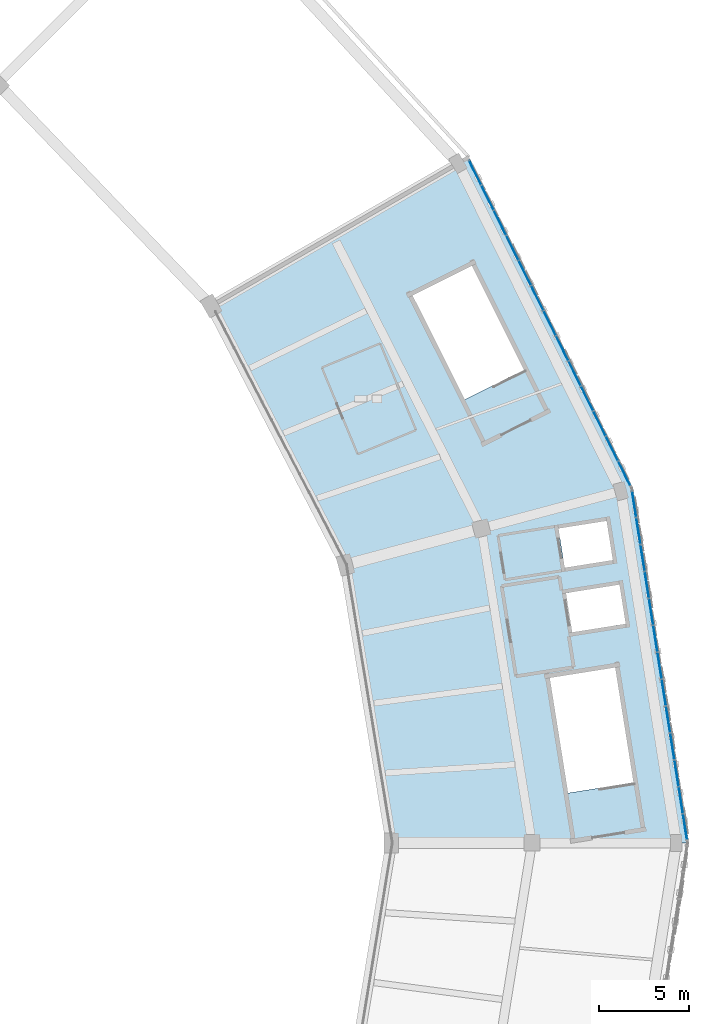
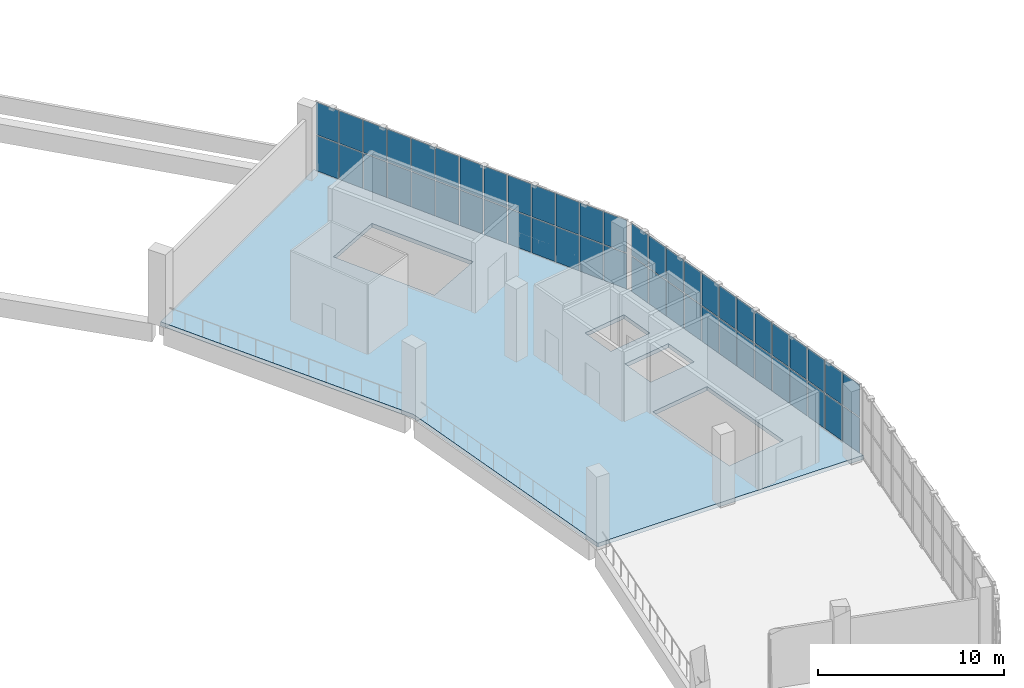
# One storey, part 39 of 64: 52 plates, 1 slab, 2 elements without a shape of their own.
"""IFC4 building model written with IfcOpenShell, lengths in metres."""

import ifcopenshell
import ifcopenshell.guid

model = None  # the IFC model being written
_history = None  # IfcOwnerHistory: only IFC2X3 demands one
_inside = {}  # id of a spatial element -> (the spatial element, [elements in it])
_under = {}  # id of a project, library or spatial element -> (it, [spatial elements below it])
_declared = {}  # id of a project -> (the project, [libraries it declares])
_typed = {}  # id of a type object -> (the type object, [elements of that type])
_made_of = {}  # id of a material, layer set ... -> (it, [elements and type objects made of it])


def new_model(schema):
    """Start an empty IFC model of exactly this schema.

    Asked for "IFC4X3", IfcOpenShell would pick the latest addendum, in which some entities
    have other attributes; the version numbers below select the first issue.
    IFC2X3 requires an IfcOwnerHistory on every rooted entity: one is made here for all.
    """
    global model, _history
    if schema == "IFC4X3":
        model = ifcopenshell.file(schema_version=(4, 3, 0, 0))
    else:
        model = ifcopenshell.file(schema=schema)
    _inside.clear()
    _under.clear()
    _declared.clear()
    _typed.clear()
    _made_of.clear()
    _history = None
    if model.schema == "IFC2X3":
        org = make("IfcOrganization", Name="unknown")
        user = make(
            "IfcPersonAndOrganization",
            ThePerson=make("IfcPerson", FamilyName="unknown"),
            TheOrganization=org,
        )
        app = make(
            "IfcApplication",
            ApplicationDeveloper=org,
            Version="unknown",
            ApplicationFullName="unknown",
            ApplicationIdentifier="unknown",
        )
        _history = make(
            "IfcOwnerHistory",
            OwningUser=user,
            OwningApplication=app,
            ChangeAction="ADDED",
            CreationDate=0,
        )
    return model


def make(cls, **values):
    """One entity of the class cls with the attributes given. An attribute that is None is left unset."""
    return model.create_entity(
        cls, **{name: value for name, value in values.items() if value is not None}
    )


def rooted(cls, **values):
    """An entity with a GlobalId (a new one), such as an element, a storey or a relation."""
    return make(cls, GlobalId=ifcopenshell.guid.new(), OwnerHistory=_history, **values)


def si_unit(unit_type, name, prefix=None):
    """IfcSIUnit, for example si_unit("LENGTHUNIT", "METRE", prefix="MILLI")."""
    return make("IfcSIUnit", UnitType=unit_type, Prefix=prefix, Name=name)


def assignment(units):
    """IfcUnitAssignment: the units of a project."""
    return None if units is None else make("IfcUnitAssignment", Units=units)


def point(xyz):
    """IfcCartesianPoint."""
    return None if xyz is None else make("IfcCartesianPoint", Coordinates=xyz)


def direction(xyz):
    """IfcDirection."""
    return None if xyz is None else make("IfcDirection", DirectionRatios=xyz)


def frame(location, z_axis=None, x_axis=None):
    """IfcAxis2Placement3D, a coordinate frame: its origin and axes. An axis left out is left unset."""
    return make(
        "IfcAxis2Placement3D",
        Location=point(location),
        Axis=direction(z_axis),
        RefDirection=direction(x_axis),
    )


def frame_2d(location, x_axis=None):
    """IfcAxis2Placement2D, a coordinate frame in the plane: its origin and x axis."""
    return make(
        "IfcAxis2Placement2D", Location=point(location), RefDirection=direction(x_axis)
    )


def origin():
    """The frame at (0, 0, 0) with its axes left unset."""
    return frame((0.0, 0.0, 0.0))


def origin_2d():
    """The frame at (0, 0) in the plane with its x axis left unset."""
    return frame_2d((0.0, 0.0))


def place(relative_to, where):
    """IfcLocalPlacement: puts the frame where relative to a parent placement (None: the world)."""
    return make(
        "IfcLocalPlacement", PlacementRelTo=relative_to, RelativePlacement=where
    )


def context(
    kind, dimensions, precision=None, world=None, true_north=None, identifier=None
):
    """IfcGeometricRepresentationContext, for example the 3D "Model" context."""
    return make(
        "IfcGeometricRepresentationContext",
        ContextIdentifier=identifier,
        ContextType=kind,
        CoordinateSpaceDimension=dimensions,
        Precision=precision,
        WorldCoordinateSystem=world,
        TrueNorth=true_north,
    )


def subcontext(parent, identifier, kind, view, scale=None):
    """IfcGeometricRepresentationSubContext, for example "Body" below "Model"."""
    return make(
        "IfcGeometricRepresentationSubContext",
        ContextIdentifier=identifier,
        ContextType=kind,
        ParentContext=parent,
        TargetScale=scale,
        TargetView=view,
    )


def project(units=None, contexts=None):
    """IfcProject with its units and contexts."""
    return rooted(
        "IfcProject",
        Name="project",
        RepresentationContexts=contexts,
        UnitsInContext=assignment(units),
    )


def spatial(cls, under=None, at=None, **own):
    """A site, building, storey or space (cls), placed at a placement, below another one or the project."""
    s = rooted(cls, ObjectPlacement=at, **own)
    if under is not None:
        _under.setdefault(under.id(), (under, []))[1].append(s)
    return s


def polyline(points):
    """IfcPolyline through the points."""
    return make("IfcPolyline", Points=[point(p) for p in points])


def profile(cls, at=None, kind="AREA", **sizes):
    """A parametric profile (cls). Its sizes go by their IFC names, for example OverallWidth=200.0."""
    return make(cls, ProfileType=kind, Position=at, **sizes)


def rectangle(**sizes):
    """IfcRectangleProfileDef."""
    return profile("IfcRectangleProfileDef", **sizes)


def outline(outer, holes=None, kind="AREA"):
    """IfcArbitraryClosedProfileDef: a profile drawn as a closed curve; with holes, ...WithVoids."""
    if holes is None:
        return make("IfcArbitraryClosedProfileDef", ProfileType=kind, OuterCurve=outer)
    return make(
        "IfcArbitraryProfileDefWithVoids",
        ProfileType=kind,
        OuterCurve=outer,
        InnerCurves=holes,
    )


def extrude(swept, where, along, depth):
    """IfcExtrudedAreaSolid: the profile swept, set in the frame where, extruded along a direction by depth."""
    return make(
        "IfcExtrudedAreaSolid",
        SweptArea=swept,
        Position=where,
        ExtrudedDirection=direction(along),
        Depth=depth,
    )


def shape(context_of_items, identifier, shape_type, items):
    """IfcShapeRepresentation: the items that make up one representation, for example the "Body"."""
    return make(
        "IfcShapeRepresentation",
        ContextOfItems=context_of_items,
        RepresentationIdentifier=identifier,
        RepresentationType=shape_type,
        Items=items,
    )


def material(Name=None, Category=None):
    """IfcMaterial."""
    return make("IfcMaterial", Name=Name, Category=Category)


def layer(
    of_material, thickness, ventilated=None, Name=None, Category=None, Priority=None
):
    """IfcMaterialLayer: one layer of a wall or slab, of a material (None: an air gap)."""
    return make(
        "IfcMaterialLayer",
        Material=of_material,
        LayerThickness=thickness,
        IsVentilated=ventilated,
        Name=Name,
        Category=Category,
        Priority=Priority,
    )


def layer_set(layers, Name=None):
    """IfcMaterialLayerSet."""
    return make("IfcMaterialLayerSet", MaterialLayers=layers, LayerSetName=Name)


def made_of(thing, what):
    """Note that an element or type object is made of a material, layer set ...; save() writes the relation."""
    if what is not None:
        _made_of.setdefault(what.id(), (what, []))[1].append(thing)
    return thing


def type_object(cls, material=None, **own):
    """A type object (cls), such as IfcWallType, which elements share."""
    return made_of(rooted(cls, **own), material)


def element(
    cls,
    number,
    at=None,
    inside=None,
    cuts=None,
    type_object=None,
    material=None,
    context=None,
    identifier="Body",
    shape_type=None,
    held_by="IfcProductDefinitionShape",
    body=None,
    shapes=None,
    **own,
):
    """One element of the class cls, such as IfcWall. Its Tag is "e" and its number.

    at: its placement. inside: the storey or other place that contains it. cuts: it is an
    opening in that element (IfcRelVoidsElement). A single representation is given by context,
    identifier, shape_type and body (its items); several are given by shapes. held_by: the class
    of the entity that holds the representations. save() writes the other relations.
    """
    e = rooted(cls, Tag="e%d" % number, ObjectPlacement=at, **own)
    if body is not None:
        shapes = [shape(context, identifier, shape_type, body)]
    if shapes is not None:
        e.Representation = make(held_by, Representations=shapes)
    if inside is not None:
        _inside.setdefault(inside.id(), (inside, []))[1].append(e)
    if cuts is not None:
        rooted(
            "IfcRelVoidsElement", RelatingBuildingElement=cuts, RelatedOpeningElement=e
        )
    if type_object is not None:
        _typed.setdefault(type_object.id(), (type_object, []))[1].append(e)
    return made_of(e, material)


def aggregate(whole, parts):
    """IfcRelAggregates: a whole, such as a stair, and the parts it consists of."""
    return rooted("IfcRelAggregates", RelatingObject=whole, RelatedObjects=parts)


def save(model, path):
    """Write the relations noted so far, then the file.

    IfcRelAggregates (storeys below a building ...), IfcRelContainedInSpatialStructure (elements
    in a storey), IfcRelDefinesByType, IfcRelAssociatesMaterial and IfcRelDeclares: one each for
    every whole, place, type object, material and project.
    """
    for whole, parts in _under.values():
        aggregate(whole, parts)
    for where, things in _inside.values():
        rooted(
            "IfcRelContainedInSpatialStructure",
            RelatedElements=things,
            RelatingStructure=where,
        )
    for kind, things in _typed.values():
        rooted("IfcRelDefinesByType", RelatedObjects=things, RelatingType=kind)
    for what, things in _made_of.values():
        rooted("IfcRelAssociatesMaterial", RelatedObjects=things, RelatingMaterial=what)
    for by, libraries in _declared.values():
        rooted("IfcRelDeclares", RelatingContext=by, RelatedDefinitions=libraries)
    model.write(path)


model = new_model("IFC4")

# Units and contexts
model_context = context("Model", 3, precision=1e-05, world=origin(), true_north=direction((0.0, 1.0)))
body_context = subcontext(model_context, "Body", "Model", "MODEL_VIEW")
ifc_project = project(units=[si_unit("LENGTHUNIT", "METRE"), si_unit("AREAUNIT", "SQUARE_METRE"), si_unit("VOLUMEUNIT", "CUBIC_METRE"), si_unit("PLANEANGLEUNIT", "RADIAN"), si_unit("MASSUNIT", "GRAM", prefix="KILO")], contexts=[model_context])

# Site, building, storey
site_placement = place(None, origin())
site = spatial("IfcSite", under=ifc_project, at=site_placement, CompositionType="ELEMENT")
building_placement = place(site_placement, origin())
building = spatial("IfcBuilding", under=site, at=building_placement, Name="Zevraka Park Crest Stadium", CompositionType="ELEMENT")
storey_placement = place(building_placement, frame((0.0, 0.0, 24.60009765625)))
storey = spatial("IfcBuildingStorey", under=building, at=storey_placement, Name="L05", CompositionType="ELEMENT", Elevation=24.60009765625)

# Curtain wall, plates
ifc_material_1 = material(Name="Anodised architectural aluminium and laminated safety glass", Category="aluminium")
curtain_wall_type_1 = type_object("IfcCurtainWallType", Name="CW21", PredefinedType="NOTDEFINED", material=ifc_material_1)
curtain_wall_1_placement = place(storey_placement, origin())
curtain_wall_1 = element("IfcCurtainWall", 1, at=curtain_wall_1_placement, inside=storey, type_object=curtain_wall_type_1, Name="Unitised Ring Curtain Wall CW21 L05-00", PredefinedType="NOTDEFINED")
ifc_material_2 = material(Name="Solar-control laminated double glazing", Category="glass")
ifc_layer_1 = layer(ifc_material_2, 0.031982421875)
ifc_layer_set_1 = layer_set([ifc_layer_1], Name="Solar-control laminated double glazing")
plate_type_1 = type_object("IfcPlateType", Name="CP21", PredefinedType="CURTAIN_PANEL", material=ifc_layer_set_1)
plate_1_placement = place(storey_placement, frame((202.77880859375, 92.88916015625, 0.06982421875), z_axis=(0.0, 0.0, 1.0), x_axis=(-0.155711467527, 0.987802580924, 0.0)))
plate_1 = element("IfcPlate", 2, at=plate_1_placement, type_object=plate_type_1, Name="CW21 panel 1.1", PredefinedType="CURTAIN_PANEL", context=body_context, shape_type="SweptSolid", body=[
    extrude(rectangle(XDim=1.4052734375, YDim=0.031982421875, at=origin_2d()), origin(), (0.0, 0.0, 1.0), 2.294921875),
])
plate_2_placement = place(storey_placement, frame((202.77880859375, 92.88916015625, 2.43505859375), z_axis=(0.0, 0.0, 1.0), x_axis=(-0.155711467527, 0.987802580924, 0.0)))
plate_2 = element("IfcPlate", 3, at=plate_2_placement, type_object=plate_type_1, Name="CW21 panel 1.2", PredefinedType="CURTAIN_PANEL", context=body_context, shape_type="SweptSolid", body=[
    extrude(rectangle(XDim=1.4052734375, YDim=0.031982421875, at=origin_2d()), origin(), (0.0, 0.0, 1.0), 2.114990234375),
])
plate_3_placement = place(storey_placement, frame((202.54638671875, 94.36376953125, 0.06982421875), z_axis=(0.0, 0.0, 1.0), x_axis=(-0.155711467527, 0.987802580924, 0.0)))
plate_3 = element("IfcPlate", 4, at=plate_3_placement, type_object=plate_type_1, Name="CW21 panel 2.1", PredefinedType="CURTAIN_PANEL", context=body_context, shape_type="SweptSolid", body=[
    extrude(rectangle(XDim=1.440185546875, YDim=0.031982421875, at=origin_2d()), origin(), (0.0, 0.0, 1.0), 2.294921875),
])
plate_4_placement = place(storey_placement, frame((202.54638671875, 94.36376953125, 2.43505859375), z_axis=(0.0, 0.0, 1.0), x_axis=(-0.155711467527, 0.987802580924, 0.0)))
plate_4 = element("IfcPlate", 5, at=plate_4_placement, type_object=plate_type_1, Name="CW21 panel 2.2", PredefinedType="CURTAIN_PANEL", context=body_context, shape_type="SweptSolid", body=[
    extrude(rectangle(XDim=1.440185546875, YDim=0.031982421875, at=origin_2d()), origin(), (0.0, 0.0, 1.0), 2.114990234375),
])
plate_5_placement = place(storey_placement, frame((202.31103515625, 95.85546875, 0.06982421875), z_axis=(0.0, 0.0, 1.0), x_axis=(-0.155711467527, 0.987802580924, 0.0)))
plate_5 = element("IfcPlate", 6, at=plate_5_placement, type_object=plate_type_1, Name="CW21 panel 3.1", PredefinedType="CURTAIN_PANEL", context=body_context, shape_type="SweptSolid", body=[
    extrude(rectangle(XDim=1.440185546875, YDim=0.031982421875, at=origin_2d()), origin(), (0.0, 0.0, 1.0), 2.294921875),
])
plate_6_placement = place(storey_placement, frame((202.31103515625, 95.85546875, 2.43505859375), z_axis=(0.0, 0.0, 1.0), x_axis=(-0.155711467527, 0.987802580924, 0.0)))
plate_6 = element("IfcPlate", 7, at=plate_6_placement, type_object=plate_type_1, Name="CW21 panel 3.2", PredefinedType="CURTAIN_PANEL", context=body_context, shape_type="SweptSolid", body=[
    extrude(rectangle(XDim=1.440185546875, YDim=0.031982421875, at=origin_2d()), origin(), (0.0, 0.0, 1.0), 2.114990234375),
])
plate_7_placement = place(storey_placement, frame((202.075927734375, 97.34716796875, 0.06982421875), z_axis=(0.0, 0.0, 1.0), x_axis=(-0.155711467527, 0.987802580924, 0.0)))
plate_7 = element("IfcPlate", 8, at=plate_7_placement, type_object=plate_type_1, Name="CW21 panel 4.1", PredefinedType="CURTAIN_PANEL", context=body_context, shape_type="SweptSolid", body=[
    extrude(rectangle(XDim=1.440185546875, YDim=0.031982421875, at=origin_2d()), origin(), (0.0, 0.0, 1.0), 2.294921875),
])
plate_8_placement = place(storey_placement, frame((202.075927734375, 97.34716796875, 2.43505859375), z_axis=(0.0, 0.0, 1.0), x_axis=(-0.155711467527, 0.987802580924, 0.0)))
plate_8 = element("IfcPlate", 9, at=plate_8_placement, type_object=plate_type_1, Name="CW21 panel 4.2", PredefinedType="CURTAIN_PANEL", context=body_context, shape_type="SweptSolid", body=[
    extrude(rectangle(XDim=1.440185546875, YDim=0.031982421875, at=origin_2d()), origin(), (0.0, 0.0, 1.0), 2.114990234375),
])
plate_9_placement = place(storey_placement, frame((201.8408203125, 98.8388671875, 0.06982421875), z_axis=(0.0, 0.0, 1.0), x_axis=(-0.155711467527, 0.987802580924, 0.0)))
plate_9 = element("IfcPlate", 10, at=plate_9_placement, type_object=plate_type_1, Name="CW21 panel 5.1", PredefinedType="CURTAIN_PANEL", context=body_context, shape_type="SweptSolid", body=[
    extrude(rectangle(XDim=1.440185546875, YDim=0.031982421875, at=origin_2d()), origin(), (0.0, 0.0, 1.0), 2.294921875),
])
plate_10_placement = place(storey_placement, frame((201.8408203125, 98.8388671875, 2.43505859375), z_axis=(0.0, 0.0, 1.0), x_axis=(-0.155711467527, 0.987802580924, 0.0)))
plate_10 = element("IfcPlate", 11, at=plate_10_placement, type_object=plate_type_1, Name="CW21 panel 5.2", PredefinedType="CURTAIN_PANEL", context=body_context, shape_type="SweptSolid", body=[
    extrude(rectangle(XDim=1.440185546875, YDim=0.031982421875, at=origin_2d()), origin(), (0.0, 0.0, 1.0), 2.114990234375),
])
plate_11_placement = place(storey_placement, frame((201.605712890625, 100.330810546875, 0.06982421875), z_axis=(0.0, 0.0, 1.0), x_axis=(-0.155711467527, 0.987802580924, 0.0)))
plate_11 = element("IfcPlate", 12, at=plate_11_placement, type_object=plate_type_1, Name="CW21 panel 6.1", PredefinedType="CURTAIN_PANEL", context=body_context, shape_type="SweptSolid", body=[
    extrude(rectangle(XDim=1.440185546875, YDim=0.031982421875, at=origin_2d()), origin(), (0.0, 0.0, 1.0), 2.294921875),
])
plate_12_placement = place(storey_placement, frame((201.605712890625, 100.330810546875, 2.43505859375), z_axis=(0.0, 0.0, 1.0), x_axis=(-0.155711467527, 0.987802580924, 0.0)))
plate_12 = element("IfcPlate", 13, at=plate_12_placement, type_object=plate_type_1, Name="CW21 panel 6.2", PredefinedType="CURTAIN_PANEL", context=body_context, shape_type="SweptSolid", body=[
    extrude(rectangle(XDim=1.440185546875, YDim=0.031982421875, at=origin_2d()), origin(), (0.0, 0.0, 1.0), 2.114990234375),
])
plate_13_placement = place(storey_placement, frame((201.37060546875, 101.822509765625, 0.06982421875), z_axis=(0.0, 0.0, 1.0), x_axis=(-0.155711467527, 0.987802580924, 0.0)))
plate_13 = element("IfcPlate", 14, at=plate_13_placement, type_object=plate_type_1, Name="CW21 panel 7.1", PredefinedType="CURTAIN_PANEL", context=body_context, shape_type="SweptSolid", body=[
    extrude(rectangle(XDim=1.440185546875, YDim=0.031982421875, at=origin_2d()), origin(), (0.0, 0.0, 1.0), 2.294921875),
])
plate_14_placement = place(storey_placement, frame((201.37060546875, 101.822509765625, 2.43505859375), z_axis=(0.0, 0.0, 1.0), x_axis=(-0.155711467527, 0.987802580924, 0.0)))
plate_14 = element("IfcPlate", 15, at=plate_14_placement, type_object=plate_type_1, Name="CW21 panel 7.2", PredefinedType="CURTAIN_PANEL", context=body_context, shape_type="SweptSolid", body=[
    extrude(rectangle(XDim=1.440185546875, YDim=0.031982421875, at=origin_2d()), origin(), (0.0, 0.0, 1.0), 2.114990234375),
])
plate_15_placement = place(storey_placement, frame((201.13525390625, 103.314208984375, 0.06982421875), z_axis=(0.0, 0.0, 1.0), x_axis=(-0.155711467527, 0.987802580924, 0.0)))
plate_15 = element("IfcPlate", 16, at=plate_15_placement, type_object=plate_type_1, Name="CW21 panel 8.1", PredefinedType="CURTAIN_PANEL", context=body_context, shape_type="SweptSolid", body=[
    extrude(rectangle(XDim=1.440185546875, YDim=0.031982421875, at=origin_2d()), origin(), (0.0, 0.0, 1.0), 2.294921875),
])
plate_16_placement = place(storey_placement, frame((201.13525390625, 103.314208984375, 2.43505859375), z_axis=(0.0, 0.0, 1.0), x_axis=(-0.155711467527, 0.987802580924, 0.0)))
plate_16 = element("IfcPlate", 17, at=plate_16_placement, type_object=plate_type_1, Name="CW21 panel 8.2", PredefinedType="CURTAIN_PANEL", context=body_context, shape_type="SweptSolid", body=[
    extrude(rectangle(XDim=1.440185546875, YDim=0.031982421875, at=origin_2d()), origin(), (0.0, 0.0, 1.0), 2.114990234375),
])
plate_17_placement = place(storey_placement, frame((200.900146484375, 104.80615234375, 0.06982421875), z_axis=(0.0, 0.0, 1.0), x_axis=(-0.155711467527, 0.987802580924, 0.0)))
plate_17 = element("IfcPlate", 18, at=plate_17_placement, type_object=plate_type_1, Name="CW21 panel 9.1", PredefinedType="CURTAIN_PANEL", context=body_context, shape_type="SweptSolid", body=[
    extrude(rectangle(XDim=1.440185546875, YDim=0.031982421875, at=origin_2d()), origin(), (0.0, 0.0, 1.0), 2.294921875),
])
plate_18_placement = place(storey_placement, frame((200.900146484375, 104.80615234375, 2.43505859375), z_axis=(0.0, 0.0, 1.0), x_axis=(-0.155711467527, 0.987802580924, 0.0)))
plate_18 = element("IfcPlate", 19, at=plate_18_placement, type_object=plate_type_1, Name="CW21 panel 9.2", PredefinedType="CURTAIN_PANEL", context=body_context, shape_type="SweptSolid", body=[
    extrude(rectangle(XDim=1.440185546875, YDim=0.031982421875, at=origin_2d()), origin(), (0.0, 0.0, 1.0), 2.114990234375),
])
plate_19_placement = place(storey_placement, frame((200.6650390625, 106.2978515625, 0.06982421875), z_axis=(0.0, 0.0, 1.0), x_axis=(-0.155711467527, 0.987802580924, 0.0)))
plate_19 = element("IfcPlate", 20, at=plate_19_placement, type_object=plate_type_1, Name="CW21 panel 10.1", PredefinedType="CURTAIN_PANEL", context=body_context, shape_type="SweptSolid", body=[
    extrude(rectangle(XDim=1.440185546875, YDim=0.031982421875, at=origin_2d()), origin(), (0.0, 0.0, 1.0), 2.294921875),
])
plate_20_placement = place(storey_placement, frame((200.6650390625, 106.2978515625, 2.43505859375), z_axis=(0.0, 0.0, 1.0), x_axis=(-0.155711467527, 0.987802580924, 0.0)))
plate_20 = element("IfcPlate", 21, at=plate_20_placement, type_object=plate_type_1, Name="CW21 panel 10.2", PredefinedType="CURTAIN_PANEL", context=body_context, shape_type="SweptSolid", body=[
    extrude(rectangle(XDim=1.440185546875, YDim=0.031982421875, at=origin_2d()), origin(), (0.0, 0.0, 1.0), 2.114990234375),
])
plate_21_placement = place(storey_placement, frame((200.429931640625, 107.78955078125, 0.06982421875), z_axis=(0.0, 0.0, 1.0), x_axis=(-0.155711467527, 0.987802580924, 0.0)))
plate_21 = element("IfcPlate", 22, at=plate_21_placement, type_object=plate_type_1, Name="CW21 panel 11.1", PredefinedType="CURTAIN_PANEL", context=body_context, shape_type="SweptSolid", body=[
    extrude(rectangle(XDim=1.440185546875, YDim=0.031982421875, at=origin_2d()), origin(), (0.0, 0.0, 1.0), 2.294921875),
])
plate_22_placement = place(storey_placement, frame((200.429931640625, 107.78955078125, 2.43505859375), z_axis=(0.0, 0.0, 1.0), x_axis=(-0.155711467527, 0.987802580924, 0.0)))
plate_22 = element("IfcPlate", 23, at=plate_22_placement, type_object=plate_type_1, Name="CW21 panel 11.2", PredefinedType="CURTAIN_PANEL", context=body_context, shape_type="SweptSolid", body=[
    extrude(rectangle(XDim=1.440185546875, YDim=0.031982421875, at=origin_2d()), origin(), (0.0, 0.0, 1.0), 2.114990234375),
])
plate_23_placement = place(storey_placement, frame((200.19482421875, 109.28125, 0.06982421875), z_axis=(0.0, 0.0, 1.0), x_axis=(-0.155711467527, 0.987802580924, 0.0)))
plate_23 = element("IfcPlate", 24, at=plate_23_placement, type_object=plate_type_1, Name="CW21 panel 12.1", PredefinedType="CURTAIN_PANEL", context=body_context, shape_type="SweptSolid", body=[
    extrude(rectangle(XDim=1.440185546875, YDim=0.031982421875, at=origin_2d()), origin(), (0.0, 0.0, 1.0), 2.294921875),
])
plate_24_placement = place(storey_placement, frame((200.19482421875, 109.28125, 2.43505859375), z_axis=(0.0, 0.0, 1.0), x_axis=(-0.155711467527, 0.987802580924, 0.0)))
plate_24 = element("IfcPlate", 25, at=plate_24_placement, type_object=plate_type_1, Name="CW21 panel 12.2", PredefinedType="CURTAIN_PANEL", context=body_context, shape_type="SweptSolid", body=[
    extrude(rectangle(XDim=1.440185546875, YDim=0.031982421875, at=origin_2d()), origin(), (0.0, 0.0, 1.0), 2.114990234375),
])
plate_25_placement = place(storey_placement, frame((199.96240234375, 110.755859375, 0.06982421875), z_axis=(0.0, 0.0, 1.0), x_axis=(-0.155711467527, 0.987802580924, 0.0)))
plate_25 = element("IfcPlate", 26, at=plate_25_placement, type_object=plate_type_1, Name="CW21 panel 13.1", PredefinedType="CURTAIN_PANEL", context=body_context, shape_type="SweptSolid", body=[
    extrude(rectangle(XDim=1.4052734375, YDim=0.031982421875, at=origin_2d()), origin(), (0.0, 0.0, 1.0), 2.294921875),
])
plate_26_placement = place(storey_placement, frame((199.96240234375, 110.755859375, 2.43505859375), z_axis=(0.0, 0.0, 1.0), x_axis=(-0.155711467527, 0.987802580924, 0.0)))
plate_26 = element("IfcPlate", 27, at=plate_26_placement, type_object=plate_type_1, Name="CW21 panel 13.2", PredefinedType="CURTAIN_PANEL", context=body_context, shape_type="SweptSolid", body=[
    extrude(rectangle(XDim=1.4052734375, YDim=0.031982421875, at=origin_2d()), origin(), (0.0, 0.0, 1.0), 2.114990234375),
])
aggregate(curtain_wall_1, [plate_1, plate_2, plate_3, plate_4, plate_5, plate_6, plate_7, plate_8, plate_9, plate_10, plate_11, plate_12, plate_13, plate_14, plate_15, plate_16, plate_17, plate_18, plate_19, plate_20, plate_21, plate_22, plate_23, plate_24, plate_25, plate_26])

ifc_material_3 = material(Name="Anodised architectural aluminium and laminated safety glass", Category="aluminium")
curtain_wall_type_2 = type_object("IfcCurtainWallType", Name="CW22", PredefinedType="NOTDEFINED", material=ifc_material_3)
curtain_wall_2_placement = place(storey_placement, origin())
curtain_wall_2 = element("IfcCurtainWall", 28, at=curtain_wall_2_placement, inside=storey, type_object=curtain_wall_type_2, Name="Unitised Ring Curtain Wall CW22 L05-01", PredefinedType="NOTDEFINED")
ifc_material_4 = material(Name="Solar-control laminated double glazing", Category="glass")
ifc_layer_2 = layer(ifc_material_4, 0.031982421875)
ifc_layer_set_2 = layer_set([ifc_layer_2], Name="Solar-control laminated double glazing")
plate_type_2 = type_object("IfcPlateType", Name="CP22", PredefinedType="CURTAIN_PANEL", material=ifc_layer_set_2)
plate_27_placement = place(storey_placement, frame((199.41357421875, 112.46875, 0.059814453125), z_axis=(0.0, 0.0, 1.0), x_axis=(-0.444297471499, 0.895879320455, 0.0)))
plate_27 = element("IfcPlate", 29, at=plate_27_placement, type_object=plate_type_2, Name="CW22 panel 1.1", PredefinedType="CURTAIN_PANEL", context=body_context, shape_type="SweptSolid", body=[
    extrude(rectangle(XDim=1.46240234375, YDim=0.031982421875, at=origin_2d()), origin(), (0.0, 0.0, 1.0), 2.31005859375),
])
plate_28_placement = place(storey_placement, frame((199.41357421875, 112.46875, 2.429931640625), z_axis=(0.0, 0.0, 1.0), x_axis=(-0.444297471499, 0.895879320455, 0.0)))
plate_28 = element("IfcPlate", 30, at=plate_28_placement, type_object=plate_type_2, Name="CW22 panel 1.2", PredefinedType="CURTAIN_PANEL", context=body_context, shape_type="SweptSolid", body=[
    extrude(rectangle(XDim=1.46240234375, YDim=0.031982421875, at=origin_2d()), origin(), (0.0, 0.0, 1.0), 2.1298828125),
])
plate_29_placement = place(storey_placement, frame((198.73046875, 113.845947265625, 0.059814453125), z_axis=(0.0, 0.0, 1.0), x_axis=(-0.444297471499, 0.895879320455, 0.0)))
plate_29 = element("IfcPlate", 31, at=plate_29_placement, type_object=plate_type_2, Name="CW22 panel 2.1", PredefinedType="CURTAIN_PANEL", context=body_context, shape_type="SweptSolid", body=[
    extrude(rectangle(XDim=1.492431640625, YDim=0.031982421875, at=origin_2d()), origin(), (0.0, 0.0, 1.0), 2.31005859375),
])
plate_30_placement = place(storey_placement, frame((198.73046875, 113.845947265625, 2.429931640625), z_axis=(0.0, 0.0, 1.0), x_axis=(-0.444297471499, 0.895879320455, 0.0)))
plate_30 = element("IfcPlate", 32, at=plate_30_placement, type_object=plate_type_2, Name="CW22 panel 2.2", PredefinedType="CURTAIN_PANEL", context=body_context, shape_type="SweptSolid", body=[
    extrude(rectangle(XDim=1.492431640625, YDim=0.031982421875, at=origin_2d()), origin(), (0.0, 0.0, 1.0), 2.1298828125),
])
plate_31_placement = place(storey_placement, frame((198.040771484375, 115.23681640625, 0.059814453125), z_axis=(0.0, 0.0, 1.0), x_axis=(-0.444297471499, 0.895879320455, 0.0)))
plate_31 = element("IfcPlate", 33, at=plate_31_placement, type_object=plate_type_2, Name="CW22 panel 3.1", PredefinedType="CURTAIN_PANEL", context=body_context, shape_type="SweptSolid", body=[
    extrude(rectangle(XDim=1.492431640625, YDim=0.031982421875, at=origin_2d()), origin(), (0.0, 0.0, 1.0), 2.31005859375),
])
plate_32_placement = place(storey_placement, frame((198.040771484375, 115.23681640625, 2.429931640625), z_axis=(0.0, 0.0, 1.0), x_axis=(-0.444297471499, 0.895879320455, 0.0)))
plate_32 = element("IfcPlate", 34, at=plate_32_placement, type_object=plate_type_2, Name="CW22 panel 3.2", PredefinedType="CURTAIN_PANEL", context=body_context, shape_type="SweptSolid", body=[
    extrude(rectangle(XDim=1.492431640625, YDim=0.031982421875, at=origin_2d()), origin(), (0.0, 0.0, 1.0), 2.1298828125),
])
plate_33_placement = place(storey_placement, frame((197.35107421875, 116.62744140625, 0.059814453125), z_axis=(0.0, 0.0, 1.0), x_axis=(-0.444297471499, 0.895879320455, 0.0)))
plate_33 = element("IfcPlate", 35, at=plate_33_placement, type_object=plate_type_2, Name="CW22 panel 4.1", PredefinedType="CURTAIN_PANEL", context=body_context, shape_type="SweptSolid", body=[
    extrude(rectangle(XDim=1.492431640625, YDim=0.031982421875, at=origin_2d()), origin(), (0.0, 0.0, 1.0), 2.31005859375),
])
plate_34_placement = place(storey_placement, frame((197.35107421875, 116.62744140625, 2.429931640625), z_axis=(0.0, 0.0, 1.0), x_axis=(-0.444297471499, 0.895879320455, 0.0)))
plate_34 = element("IfcPlate", 36, at=plate_34_placement, type_object=plate_type_2, Name="CW22 panel 4.2", PredefinedType="CURTAIN_PANEL", context=body_context, shape_type="SweptSolid", body=[
    extrude(rectangle(XDim=1.492431640625, YDim=0.031982421875, at=origin_2d()), origin(), (0.0, 0.0, 1.0), 2.1298828125),
])
plate_35_placement = place(storey_placement, frame((196.661376953125, 118.01806640625, 0.059814453125), z_axis=(0.0, 0.0, 1.0), x_axis=(-0.444297471499, 0.895879320455, 0.0)))
plate_35 = element("IfcPlate", 37, at=plate_35_placement, type_object=plate_type_2, Name="CW22 panel 5.1", PredefinedType="CURTAIN_PANEL", context=body_context, shape_type="SweptSolid", body=[
    extrude(rectangle(XDim=1.492431640625, YDim=0.031982421875, at=origin_2d()), origin(), (0.0, 0.0, 1.0), 2.31005859375),
])
plate_36_placement = place(storey_placement, frame((196.661376953125, 118.01806640625, 2.429931640625), z_axis=(0.0, 0.0, 1.0), x_axis=(-0.444297471499, 0.895879320455, 0.0)))
plate_36 = element("IfcPlate", 38, at=plate_36_placement, type_object=plate_type_2, Name="CW22 panel 5.2", PredefinedType="CURTAIN_PANEL", context=body_context, shape_type="SweptSolid", body=[
    extrude(rectangle(XDim=1.492431640625, YDim=0.031982421875, at=origin_2d()), origin(), (0.0, 0.0, 1.0), 2.1298828125),
])
plate_37_placement = place(storey_placement, frame((195.9716796875, 119.40869140625, 0.059814453125), z_axis=(0.0, 0.0, 1.0), x_axis=(-0.444297471499, 0.895879320455, 0.0)))
plate_37 = element("IfcPlate", 39, at=plate_37_placement, type_object=plate_type_2, Name="CW22 panel 6.1", PredefinedType="CURTAIN_PANEL", context=body_context, shape_type="SweptSolid", body=[
    extrude(rectangle(XDim=1.492431640625, YDim=0.031982421875, at=origin_2d()), origin(), (0.0, 0.0, 1.0), 2.31005859375),
])
plate_38_placement = place(storey_placement, frame((195.9716796875, 119.40869140625, 2.429931640625), z_axis=(0.0, 0.0, 1.0), x_axis=(-0.444297471499, 0.895879320455, 0.0)))
plate_38 = element("IfcPlate", 40, at=plate_38_placement, type_object=plate_type_2, Name="CW22 panel 6.2", PredefinedType="CURTAIN_PANEL", context=body_context, shape_type="SweptSolid", body=[
    extrude(rectangle(XDim=1.492431640625, YDim=0.031982421875, at=origin_2d()), origin(), (0.0, 0.0, 1.0), 2.1298828125),
])
plate_39_placement = place(storey_placement, frame((195.281982421875, 120.799560546875, 0.059814453125), z_axis=(0.0, 0.0, 1.0), x_axis=(-0.444297471499, 0.895879320455, 0.0)))
plate_39 = element("IfcPlate", 41, at=plate_39_placement, type_object=plate_type_2, Name="CW22 panel 7.1", PredefinedType="CURTAIN_PANEL", context=body_context, shape_type="SweptSolid", body=[
    extrude(rectangle(XDim=1.492431640625, YDim=0.031982421875, at=origin_2d()), origin(), (0.0, 0.0, 1.0), 2.31005859375),
])
plate_40_placement = place(storey_placement, frame((195.281982421875, 120.799560546875, 2.429931640625), z_axis=(0.0, 0.0, 1.0), x_axis=(-0.444297471499, 0.895879320455, 0.0)))
plate_40 = element("IfcPlate", 42, at=plate_40_placement, type_object=plate_type_2, Name="CW22 panel 7.2", PredefinedType="CURTAIN_PANEL", context=body_context, shape_type="SweptSolid", body=[
    extrude(rectangle(XDim=1.492431640625, YDim=0.031982421875, at=origin_2d()), origin(), (0.0, 0.0, 1.0), 2.1298828125),
])
plate_41_placement = place(storey_placement, frame((194.59228515625, 122.190185546875, 0.059814453125), z_axis=(0.0, 0.0, 1.0), x_axis=(-0.444297471499, 0.895879320455, 0.0)))
plate_41 = element("IfcPlate", 43, at=plate_41_placement, type_object=plate_type_2, Name="CW22 panel 8.1", PredefinedType="CURTAIN_PANEL", context=body_context, shape_type="SweptSolid", body=[
    extrude(rectangle(XDim=1.492431640625, YDim=0.031982421875, at=origin_2d()), origin(), (0.0, 0.0, 1.0), 2.31005859375),
])
plate_42_placement = place(storey_placement, frame((194.59228515625, 122.190185546875, 2.429931640625), z_axis=(0.0, 0.0, 1.0), x_axis=(-0.444297471499, 0.895879320455, 0.0)))
plate_42 = element("IfcPlate", 44, at=plate_42_placement, type_object=plate_type_2, Name="CW22 panel 8.2", PredefinedType="CURTAIN_PANEL", context=body_context, shape_type="SweptSolid", body=[
    extrude(rectangle(XDim=1.492431640625, YDim=0.031982421875, at=origin_2d()), origin(), (0.0, 0.0, 1.0), 2.1298828125),
])
plate_43_placement = place(storey_placement, frame((193.902587890625, 123.580810546875, 0.059814453125), z_axis=(0.0, 0.0, 1.0), x_axis=(-0.444297471499, 0.895879320455, 0.0)))
plate_43 = element("IfcPlate", 45, at=plate_43_placement, type_object=plate_type_2, Name="CW22 panel 9.1", PredefinedType="CURTAIN_PANEL", context=body_context, shape_type="SweptSolid", body=[
    extrude(rectangle(XDim=1.492431640625, YDim=0.031982421875, at=origin_2d()), origin(), (0.0, 0.0, 1.0), 2.31005859375),
])
plate_44_placement = place(storey_placement, frame((193.902587890625, 123.580810546875, 2.429931640625), z_axis=(0.0, 0.0, 1.0), x_axis=(-0.444297471499, 0.895879320455, 0.0)))
plate_44 = element("IfcPlate", 46, at=plate_44_placement, type_object=plate_type_2, Name="CW22 panel 9.2", PredefinedType="CURTAIN_PANEL", context=body_context, shape_type="SweptSolid", body=[
    extrude(rectangle(XDim=1.492431640625, YDim=0.031982421875, at=origin_2d()), origin(), (0.0, 0.0, 1.0), 2.1298828125),
])
plate_45_placement = place(storey_placement, frame((193.212890625, 124.9716796875, 0.059814453125), z_axis=(0.0, 0.0, 1.0), x_axis=(-0.444297471499, 0.895879320455, 0.0)))
plate_45 = element("IfcPlate", 47, at=plate_45_placement, type_object=plate_type_2, Name="CW22 panel 10.1", PredefinedType="CURTAIN_PANEL", context=body_context, shape_type="SweptSolid", body=[
    extrude(rectangle(XDim=1.492431640625, YDim=0.031982421875, at=origin_2d()), origin(), (0.0, 0.0, 1.0), 2.31005859375),
])
plate_46_placement = place(storey_placement, frame((193.212890625, 124.9716796875, 2.429931640625), z_axis=(0.0, 0.0, 1.0), x_axis=(-0.444297471499, 0.895879320455, 0.0)))
plate_46 = element("IfcPlate", 48, at=plate_46_placement, type_object=plate_type_2, Name="CW22 panel 10.2", PredefinedType="CURTAIN_PANEL", context=body_context, shape_type="SweptSolid", body=[
    extrude(rectangle(XDim=1.492431640625, YDim=0.031982421875, at=origin_2d()), origin(), (0.0, 0.0, 1.0), 2.1298828125),
])
plate_47_placement = place(storey_placement, frame((192.523193359375, 126.3623046875, 0.059814453125), z_axis=(0.0, 0.0, 1.0), x_axis=(-0.444297471499, 0.895879320455, 0.0)))
plate_47 = element("IfcPlate", 49, at=plate_47_placement, type_object=plate_type_2, Name="CW22 panel 11.1", PredefinedType="CURTAIN_PANEL", context=body_context, shape_type="SweptSolid", body=[
    extrude(rectangle(XDim=1.492431640625, YDim=0.031982421875, at=origin_2d()), origin(), (0.0, 0.0, 1.0), 2.31005859375),
])
plate_48_placement = place(storey_placement, frame((192.523193359375, 126.3623046875, 2.429931640625), z_axis=(0.0, 0.0, 1.0), x_axis=(-0.444297471499, 0.895879320455, 0.0)))
plate_48 = element("IfcPlate", 50, at=plate_48_placement, type_object=plate_type_2, Name="CW22 panel 11.2", PredefinedType="CURTAIN_PANEL", context=body_context, shape_type="SweptSolid", body=[
    extrude(rectangle(XDim=1.492431640625, YDim=0.031982421875, at=origin_2d()), origin(), (0.0, 0.0, 1.0), 2.1298828125),
])
plate_49_placement = place(storey_placement, frame((191.83349609375, 127.7529296875, 0.059814453125), z_axis=(0.0, 0.0, 1.0), x_axis=(-0.444297471499, 0.895879320455, 0.0)))
plate_49 = element("IfcPlate", 51, at=plate_49_placement, type_object=plate_type_2, Name="CW22 panel 12.1", PredefinedType="CURTAIN_PANEL", context=body_context, shape_type="SweptSolid", body=[
    extrude(rectangle(XDim=1.492431640625, YDim=0.031982421875, at=origin_2d()), origin(), (0.0, 0.0, 1.0), 2.31005859375),
])
plate_50_placement = place(storey_placement, frame((191.83349609375, 127.7529296875, 2.429931640625), z_axis=(0.0, 0.0, 1.0), x_axis=(-0.444297471499, 0.895879320455, 0.0)))
plate_50 = element("IfcPlate", 52, at=plate_50_placement, type_object=plate_type_2, Name="CW22 panel 12.2", PredefinedType="CURTAIN_PANEL", context=body_context, shape_type="SweptSolid", body=[
    extrude(rectangle(XDim=1.492431640625, YDim=0.031982421875, at=origin_2d()), origin(), (0.0, 0.0, 1.0), 2.1298828125),
])
plate_51_placement = place(storey_placement, frame((191.150390625, 129.130126953125, 0.059814453125), z_axis=(0.0, 0.0, 1.0), x_axis=(-0.444297471499, 0.895879320455, 0.0)))
plate_51 = element("IfcPlate", 53, at=plate_51_placement, type_object=plate_type_2, Name="CW22 panel 13.1", PredefinedType="CURTAIN_PANEL", context=body_context, shape_type="SweptSolid", body=[
    extrude(rectangle(XDim=1.46240234375, YDim=0.031982421875, at=origin_2d()), origin(), (0.0, 0.0, 1.0), 2.31005859375),
])
plate_52_placement = place(storey_placement, frame((191.150390625, 129.130126953125, 2.429931640625), z_axis=(0.0, 0.0, 1.0), x_axis=(-0.444297471499, 0.895879320455, 0.0)))
plate_52 = element("IfcPlate", 54, at=plate_52_placement, type_object=plate_type_2, Name="CW22 panel 13.2", PredefinedType="CURTAIN_PANEL", context=body_context, shape_type="SweptSolid", body=[
    extrude(rectangle(XDim=1.46240234375, YDim=0.031982421875, at=origin_2d()), origin(), (0.0, 0.0, 1.0), 2.1298828125),
])
aggregate(curtain_wall_2, [plate_27, plate_28, plate_29, plate_30, plate_31, plate_32, plate_33, plate_34, plate_35, plate_36, plate_37, plate_38, plate_39, plate_40, plate_41, plate_42, plate_43, plate_44, plate_45, plate_46, plate_47, plate_48, plate_49, plate_50, plate_51, plate_52])

# Slab
ifc_material_5 = material(Name="Concrete C35/45", Category="concrete")
ifc_layer_3 = layer(ifc_material_5, 0.260009765625)
ifc_layer_set_3 = layer_set([ifc_layer_3], Name="Concrete C35/45")
slab_type = type_object("IfcSlabType", Name="FS03", PredefinedType="FLOOR", material=ifc_layer_set_3)
slab_placement = place(storey_placement, frame((0.0, 0.0, -0.260009765625)))
element("IfcSlab", 55, at=slab_placement, inside=storey, type_object=slab_type, Name="Bowl Concourse Ring Slab L05 Q1-NE-1", PredefinedType="FLOOR", context=body_context, shape_type="SweptSolid", body=[
    extrude(outline(polyline([(183.9609375, 107.39990234375), (176.51904296875, 121.75), (190.80810546875, 130.0), (199.89892578125, 111.669921875), (203.0, 92.0), (186.5, 92.0), (183.9609375, 107.39990234375)]), holes=[polyline([(196.257080078125, 94.7529296875), (199.969970703125, 95.344970703125), (198.945068359375, 101.782958984375), (195.23193359375, 101.19189453125), (196.257080078125, 94.7529296875)]), polyline([(196.529052734375, 103.6669921875), (199.491943359375, 104.137939453125), (199.14697265625, 106.31103515625), (196.18408203125, 105.840087890625), (196.529052734375, 103.6669921875)]), polyline([(196.112060546875, 107.2470703125), (198.779052734375, 107.669921875), (198.43408203125, 109.843017578125), (195.76708984375, 109.419921875), (196.112060546875, 107.2470703125)]), polyline([(190.535888671875, 116.5400390625), (193.89794921875, 118.22412109375), (190.97705078125, 124.052978515625), (187.615966796875, 122.368896484375), (190.535888671875, 116.5400390625)])]), origin(), (0.0, 0.0, 1.0), 0.260009765625),
])

save(model, "model.ifc")
